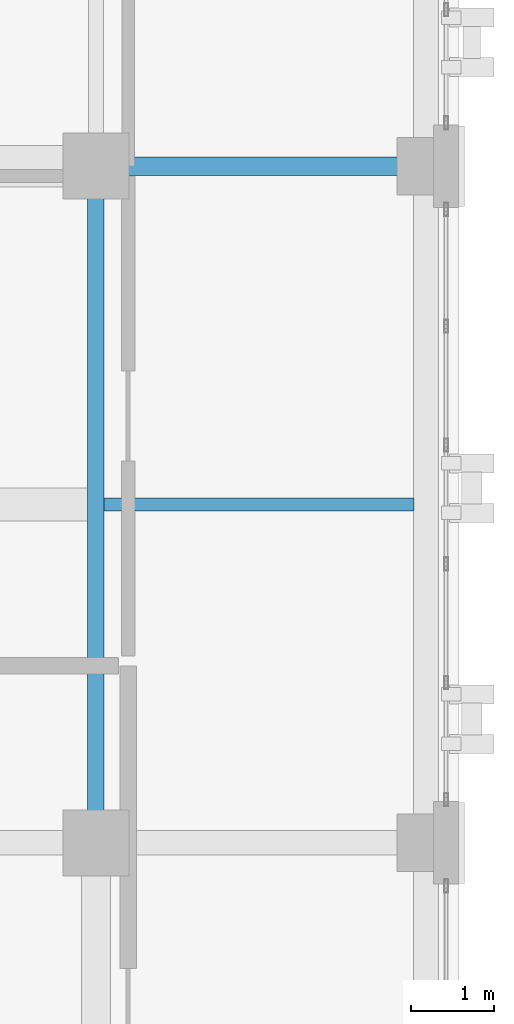
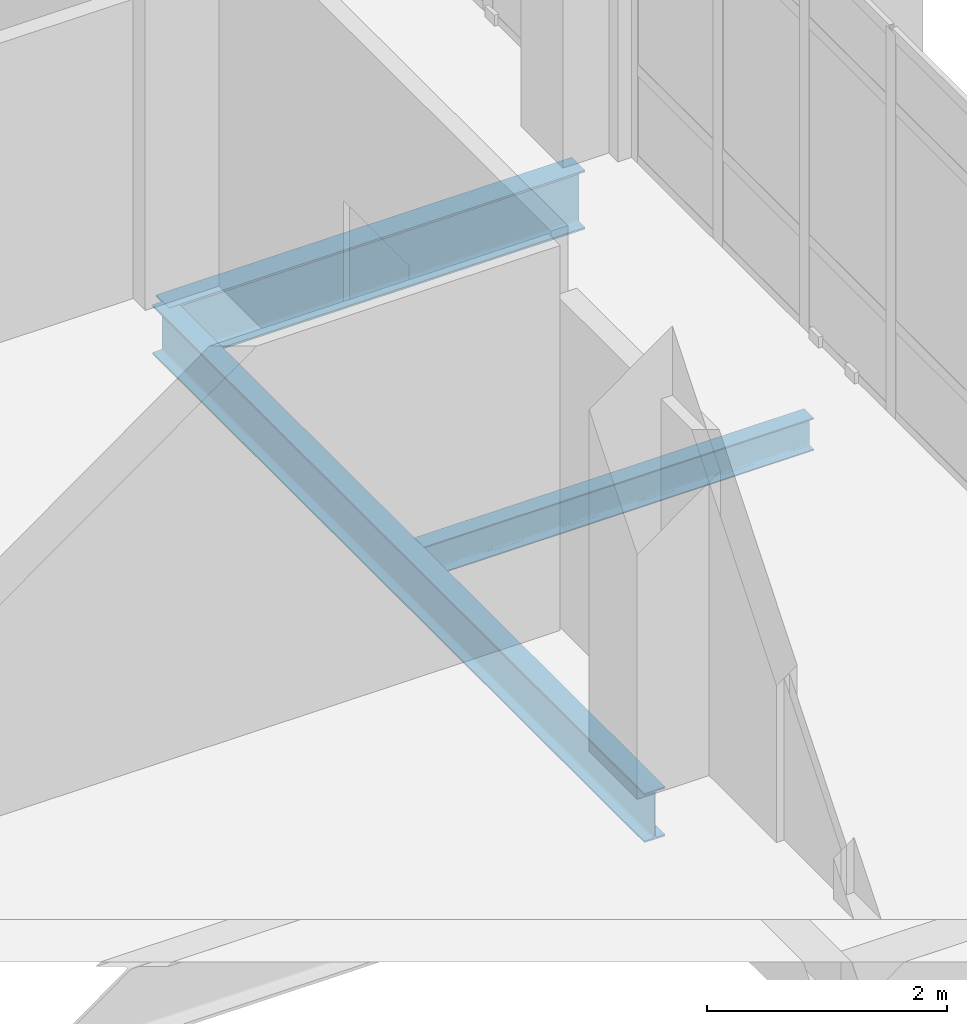
# One storey, part 79 of 193: 3 beams.
"""IFC4 building model written with IfcOpenShell, lengths in metres."""

from ifc_helpers import new_model, si_unit, direction, frame, origin, origin_2d, place, context, subcontext, project, spatial, i_section, extrude, material, material_profile, profile_set, type_object, element, save


model = new_model("IFC4")

# Units and contexts
model_context = context("Model", 3, precision=1e-05, world=origin(), true_north=direction((0.0, 1.0)))
body_context = subcontext(model_context, "Body", "Model", "MODEL_VIEW")
ifc_project = project(units=[si_unit("LENGTHUNIT", "METRE"), si_unit("AREAUNIT", "SQUARE_METRE"), si_unit("VOLUMEUNIT", "CUBIC_METRE"), si_unit("PLANEANGLEUNIT", "RADIAN"), si_unit("MASSUNIT", "GRAM", prefix="KILO")], contexts=[model_context])

# Site, building, storey
site_placement = place(None, origin())
site = spatial("IfcSite", under=ifc_project, at=site_placement, CompositionType="ELEMENT")
building_placement = place(site_placement, origin())
building = spatial("IfcBuilding", under=site, at=building_placement, Name="Qalavern Law Courts", CompositionType="ELEMENT")
storey_placement = place(building_placement, frame((0.0, 0.0, 10.199951171875)))
storey = spatial("IfcBuildingStorey", under=building, at=storey_placement, Name="L02", CompositionType="ELEMENT", Elevation=10.199951171875)

# Beams
ifc_material = material(Name="Steel S355", Category="steel")
ifc_material_profile_1 = material_profile(ifc_material, i_section(OverallWidth=0.199951171875, OverallDepth=0.5, WebThickness=0.01025390625, FlangeThickness=0.01611328125, FilletRadius=0.02099609375, at=origin_2d()), Name="IPE 500")
ifc_profile_set_1 = profile_set([ifc_material_profile_1], Name="Steel S355")
beam_type_1 = type_object("IfcBeamType", Name="STR-BM-IPE500", PredefinedType="BEAM", material=ifc_profile_set_1)
beam_1_placement = place(storey_placement, frame((14.39990234375, 79.39990234375, -0.5400390625), z_axis=(0.0, 1.0, 0.0), x_axis=(-1.0, 0.0, 0.0)))
element("IfcBeam", 1, at=beam_1_placement, inside=storey, type_object=beam_type_1, Name="V3 Y-beam 2-6 L02", PredefinedType="BEAM", context=body_context, shape_type="SweptSolid", body=[
    extrude(i_section(OverallWidth=0.199951171875, OverallDepth=0.5, WebThickness=0.01025390625, FlangeThickness=0.01611328125, FilletRadius=0.02099609375, at=origin_2d()), origin(), (0.0, 0.0, 1.0), 8.2001953125),
])
ifc_material_profile_2 = material_profile(ifc_material, i_section(OverallWidth=0.219970703125, OverallDepth=0.60009765625, WebThickness=0.011962890625, FlangeThickness=0.01904296875, FilletRadius=0.02392578125, at=origin_2d()), Name="IPE 600")
ifc_profile_set_2 = profile_set([ifc_material_profile_2], Name="Steel S355")
beam_type_2 = type_object("IfcBeamType", Name="STR-BM-IPE600", PredefinedType="BEAM", material=ifc_profile_set_2)
beam_2_placement = place(storey_placement, frame((14.39990234375, 87.60009765625, -0.58984375), z_axis=(1.0, 0.0, 0.0), x_axis=(0.0, 1.0, 0.0)))
element("IfcBeam", 2, at=beam_2_placement, inside=storey, type_object=beam_type_2, Name="V3 X-beam 7-2 L02", PredefinedType="BEAM", context=body_context, shape_type="SweptSolid", body=[
    extrude(i_section(OverallWidth=0.219970703125, OverallDepth=0.60009765625, WebThickness=0.011962890625, FlangeThickness=0.01904296875, FilletRadius=0.02392578125, at=origin_2d()), origin(), (0.0, 0.0, 1.0), 4.0),
])
ifc_material_profile_3 = material_profile(ifc_material, i_section(OverallWidth=0.159912109375, OverallDepth=0.330078125, WebThickness=0.007568359375, FlangeThickness=0.011474609375, FilletRadius=0.01806640625, at=origin_2d()), Name="IPE 330")
ifc_profile_set_3 = profile_set([ifc_material_profile_3], Name="Steel S355")
beam_type_3 = type_object("IfcBeamType", Name="STR-JST-IPE330", PredefinedType="JOIST", material=ifc_profile_set_3)
beam_3_placement = place(storey_placement, frame((14.498046875, 83.5, -0.454833984375), z_axis=(1.0, 0.0, 0.0), x_axis=(0.0, 1.0, 0.0)))
element("IfcBeam", 3, at=beam_3_placement, inside=storey, type_object=beam_type_3, Name="V3 secondary joist 2.6.1 L02", PredefinedType="JOIST", context=body_context, shape_type="SweptSolid", body=[
    extrude(i_section(OverallWidth=0.159912109375, OverallDepth=0.330078125, WebThickness=0.007568359375, FlangeThickness=0.011474609375, FilletRadius=0.01806640625, at=origin_2d()), origin(), (0.0, 0.0, 1.0), 3.75390625),
])

save(model, "model.ifc")
